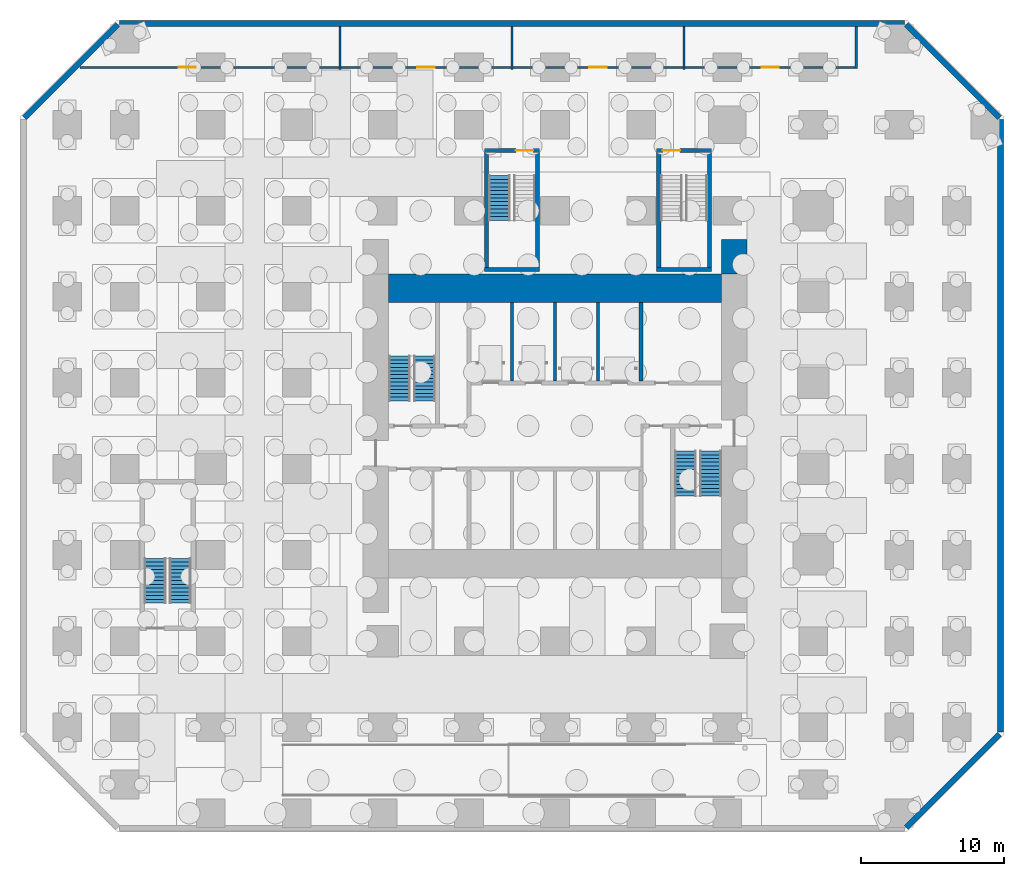
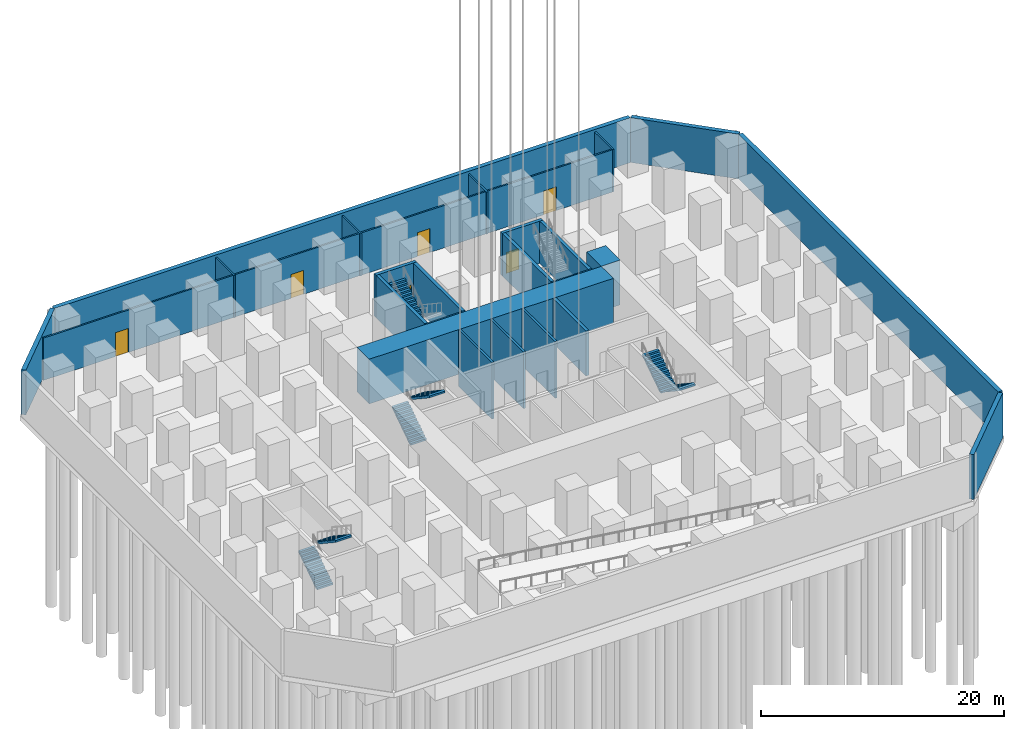
# One storey, part 4 of 11: 27 walls, 7 stair flights, 6 doors, 6 openings, 4 elements without a shape of their own.
"""IFC4 building model written with IfcOpenShell, lengths in metres."""

from ifc_helpers import new_model, si_unit, direction, frame, frame_2d, origin, place, context, subcontext, project, spatial, polyline, rectangle, outline, extrude, material, layer, layer_set, type_object, element, fill, aggregate, save


model = new_model("IFC4")

# Units and contexts
model_context = context("Model", 3, precision=1e-05, world=origin(), true_north=direction((0.0, 1.0)))
body_context = subcontext(model_context, "Body", "Model", "MODEL_VIEW")
ifc_project = project(units=[si_unit("LENGTHUNIT", "METRE"), si_unit("AREAUNIT", "SQUARE_METRE"), si_unit("VOLUMEUNIT", "CUBIC_METRE"), si_unit("PLANEANGLEUNIT", "RADIAN"), si_unit("MASSUNIT", "GRAM", prefix="KILO")], contexts=[model_context])

# Site, building, storey
site_placement = place(None, origin())
site = spatial("IfcSite", under=ifc_project, at=site_placement, CompositionType="ELEMENT")
building_placement = place(site_placement, origin())
building = spatial("IfcBuilding", under=site, at=building_placement, Name="Highveld Stack Headquarters", CompositionType="ELEMENT")
storey_placement = place(building_placement, frame((0.0, 0.0, -9.0)))
storey = spatial("IfcBuildingStorey", under=building, at=storey_placement, Name="B2", CompositionType="ELEMENT", Elevation=-9.0)

# Walls
ifc_material_1 = material(Name="Concrete C60/75", Category="concrete")
ifc_layer_1 = layer(ifc_material_1, 0.39990234375)
ifc_layer_set_1 = layer_set([ifc_layer_1], Name="Concrete C60/75")
wall_type_1 = type_object("IfcWallType", Name="BASEMENT RETAINING WALL 400", PredefinedType="USERDEFINED", material=ifc_layer_set_1)
wall_1_placement = place(storey_placement, frame((-30.989990234375, 24.494873046875, 0.0), z_axis=(0.0, 0.0, 1.0), x_axis=(0.707106781187, 0.707106781187, 0.0)))
element("IfcWall", 1, at=wall_1_placement, inside=storey, type_object=wall_type_1, Name="Basement retaining wall B2 3", ObjectType="RETAINING WALL", PredefinedType="USERDEFINED", context=body_context, shape_type="SweptSolid", body=[
    extrude(rectangle(XDim=9.185546875, YDim=0.39990234375, at=frame_2d((4.5927734375, 0.0))), origin(), (0.0, 0.0, 1.0), 4.5),
])
wall_2_placement = place(storey_placement, frame((-24.35009765625, 31.050048828125, 0.0), z_axis=(0.0, 0.0, 1.0), x_axis=(1.0, 0.0, 0.0)))
element("IfcWall", 2, at=wall_2_placement, inside=storey, type_object=wall_type_1, Name="Basement retaining wall B2 4", ObjectType="RETAINING WALL", PredefinedType="USERDEFINED", context=body_context, shape_type="SweptSolid", body=[
    extrude(rectangle(XDim=54.7001953125, YDim=0.39990234375, at=frame_2d((27.35009765625, 0.0))), origin(), (0.0, 0.0, 1.0), 4.5),
])
wall_3_placement = place(storey_placement, frame((30.494873046875, 30.989990234375, 0.0), z_axis=(0.0, 0.0, 1.0), x_axis=(0.707106781187, -0.707106781187, 0.0)))
element("IfcWall", 3, at=wall_3_placement, inside=storey, type_object=wall_type_1, Name="Basement retaining wall B2 5", ObjectType="RETAINING WALL", PredefinedType="USERDEFINED", context=body_context, shape_type="SweptSolid", body=[
    extrude(rectangle(XDim=9.185546875, YDim=0.39990234375, at=frame_2d((4.5927734375, 0.0))), origin(), (0.0, 0.0, 1.0), 4.5),
])
wall_4_placement = place(storey_placement, frame((37.050048828125, 24.35009765625, 0.0), z_axis=(0.0, 0.0, 1.0), x_axis=(0.0, -1.0, 0.0)))
element("IfcWall", 4, at=wall_4_placement, inside=storey, type_object=wall_type_1, Name="Basement retaining wall B2 6", ObjectType="RETAINING WALL", PredefinedType="USERDEFINED", context=body_context, shape_type="SweptSolid", body=[
    extrude(rectangle(XDim=42.7001953125, YDim=0.39990234375, at=frame_2d((21.35009765625, 0.0))), origin(), (0.0, 0.0, 1.0), 4.5),
])
wall_5_placement = place(storey_placement, frame((36.989990234375, -18.494873046875, 0.0), z_axis=(0.0, 0.0, 1.0), x_axis=(-0.707106781187, -0.707106781187, 0.0)))
element("IfcWall", 5, at=wall_5_placement, inside=storey, type_object=wall_type_1, Name="Basement retaining wall B2 7", ObjectType="RETAINING WALL", PredefinedType="USERDEFINED", context=body_context, shape_type="SweptSolid", body=[
    extrude(rectangle(XDim=9.185546875, YDim=0.39990234375, at=frame_2d((4.5927734375, 0.0))), origin(), (0.0, 0.0, 1.0), 4.5),
])
ifc_material_2 = material(Name="Concrete C60/75", Category="concrete")
ifc_layer_2 = layer(ifc_material_2, 2.0)
ifc_layer_set_2 = layer_set([ifc_layer_2], Name="Concrete C60/75")
wall_type_2 = type_object("IfcWallType", Name="CORE WALL 2000 C60/75", PredefinedType="SHEAR", material=ifc_layer_set_2)
wall_6_placement = place(storey_placement, frame((-5.60009765625, 12.60009765625, 0.0), z_axis=(0.0, 0.0, 1.0), x_axis=(1.0, 0.0, 0.0)))
element("IfcWall", 6, at=wall_6_placement, inside=storey, type_object=wall_type_2, Name="Core wall N B2", PredefinedType="SHEAR", context=body_context, shape_type="SweptSolid", body=[
    extrude(rectangle(XDim=23.2001953125, YDim=2.0, at=frame_2d((11.60009765625, 0.0))), origin(), (0.0, 0.0, 1.0), 4.5),
])
ifc_material_3 = material(Name="Concrete C60/75", Category="concrete")
ifc_layer_3 = layer(ifc_material_3, 0.300048828125)
ifc_layer_set_3 = layer_set([ifc_layer_3], Name="Concrete C60/75")
wall_type_3 = type_object("IfcWallType", Name="CORE WALL 300 C60/75", PredefinedType="SHEAR", material=ifc_layer_set_3)
wall_7_placement = place(storey_placement, frame((12.0, 6.14990234375, 0.0), z_axis=(0.0, 0.0, 1.0), x_axis=(0.0, 1.0, 0.0)))
element("IfcWall", 7, at=wall_7_placement, inside=storey, type_object=wall_type_3, Name="Core wall I-X12N B2", PredefinedType="SHEAR", context=body_context, shape_type="SweptSolid", body=[
    extrude(rectangle(XDim=5.4501953125, YDim=0.300048828125, at=frame_2d((2.72509765625, 0.0))), origin(), (0.0, 0.0, 1.0), 4.5),
])
ifc_material_4 = material(Name="Concrete C60/75", Category="concrete")
ifc_layer_4 = layer(ifc_material_4, 1.800048828125)
ifc_layer_set_4 = layer_set([ifc_layer_4], Name="Concrete C60/75")
wall_type_4 = type_object("IfcWallType", Name="CORE WING WALL 1800 C60/75", PredefinedType="SHEAR", material=ifc_layer_set_4)
wall_8_placement = place(storey_placement, frame((18.5, 13.60009765625, 0.0), z_axis=(0.0, 0.0, 1.0), x_axis=(0.0, 1.0, 0.0)))
element("IfcWall", 8, at=wall_8_placement, inside=storey, type_object=wall_type_4, Name="Core wing wall EN B2", PredefinedType="SHEAR", context=body_context, shape_type="SweptSolid", body=[
    extrude(rectangle(XDim=2.39990234375, YDim=1.800048828125, at=frame_2d((1.199951171875, 0.0))), origin(), (0.0, 0.0, 1.0), 4.5),
])

# Wall, opening, door
ifc_material_5 = material(Name="Concrete blockwork, plastered", Category="masonry")
ifc_layer_5 = layer(ifc_material_5, 0.14990234375)
ifc_layer_set_5 = layer_set([ifc_layer_5], Name="Concrete blockwork, plastered")
wall_type_5 = type_object("IfcWallType", Name="FIRE PARTITION 150 BLOCKWORK", PredefinedType="PARTITIONING", material=ifc_layer_set_5)
wall_9_placement = place(storey_placement, frame((-27.125, 28.0, 0.0), z_axis=(0.0, 0.0, 1.0), x_axis=(1.0, 0.0, 0.0)))
wall_9 = element("IfcWall", 9, at=wall_9_placement, inside=storey, type_object=wall_type_5, Name="Partition Generator room B2", PredefinedType="PARTITIONING", context=body_context, shape_type="SweptSolid", body=[
    extrude(rectangle(XDim=18.050048828125, YDim=0.14990234375, at=frame_2d((9.02490234375, 0.0))), origin(), (0.0, 0.0, 1.0), 4.25),
])
opening_1_placement = place(wall_9_placement, frame((6.875, 0.0, 0.0)))
opening_1 = element("IfcOpeningElement", 10, at=opening_1_placement, cuts=wall_9, Name="Opening B2-13", PredefinedType="OPENING", context=body_context, shape_type="SweptSolid", body=[
    extrude(rectangle(XDim=1.199951171875, YDim=2.39990234375, at=frame_2d((0.60009765625, 1.199951171875))), frame((0.0, 0.0849609375, 0.0), z_axis=(0.0, -1.0, 0.0), x_axis=(1.0, 0.0, 0.0)), (0.0, 0.0, 1.0), 0.169921875),
])
ifc_material_6 = material(Name="Steel fire door", Category="steel")
door_type_1 = type_object("IfcDoorType", Name="PLANT FIRE DOOR D7 1200x2400", OperationType="SINGLE_SWING_LEFT", PredefinedType="DOOR", material=ifc_material_6)
door_1_placement = place(opening_1_placement, origin())
door_1 = element("IfcDoor", 11, at=door_1_placement, inside=storey, type_object=door_type_1, Name="Generator room door 1 B2", OperationType="SINGLE_SWING_LEFT", OverallHeight=2.39990234375, OverallWidth=1.199951171875, PredefinedType="DOOR", context=body_context, shape_type="SweptSolid", body=[
    extrude(rectangle(XDim=1.199951171875, YDim=2.39990234375, at=frame_2d((0.60009765625, 1.199951171875))), frame((0.0, 0.02490234375, 0.0), z_axis=(0.0, -1.0, 0.0), x_axis=(1.0, 0.0, 0.0)), (0.0, 0.0, 1.0), 0.050048828125),
])
fill(opening_1, door_1)

# Wall
wall_10_placement = place(storey_placement, frame((-9.0, 27.85009765625, 0.0), z_axis=(0.0, 0.0, 1.0), x_axis=(0.0, 1.0, 0.0)))
element("IfcWall", 12, at=wall_10_placement, inside=storey, type_object=wall_type_5, Name="Partition Generator room B2", PredefinedType="PARTITIONING", context=body_context, shape_type="SweptSolid", body=[
    extrude(rectangle(XDim=3.0, YDim=0.14990234375, at=frame_2d((1.5, 0.0))), origin(), (0.0, 0.0, 1.0), 4.25),
])

# Wall, opening, door
wall_11_placement = place(storey_placement, frame((-8.925048828125, 28.0, 0.0), z_axis=(0.0, 0.0, 1.0), x_axis=(1.0, 0.0, 0.0)))
wall_11 = element("IfcWall", 13, at=wall_11_placement, inside=storey, type_object=wall_type_5, Name="Partition Electrical substation B2", PredefinedType="PARTITIONING", context=body_context, shape_type="SweptSolid", body=[
    extrude(rectangle(XDim=11.85009765625, YDim=0.14990234375, at=frame_2d((5.925048828125, 0.0))), origin(), (0.0, 0.0, 1.0), 4.25),
])
opening_2_placement = place(wall_11_placement, frame((5.324951171875, 0.0, 0.0)))
opening_2 = element("IfcOpeningElement", 14, at=opening_2_placement, cuts=wall_11, Name="Opening B2-14", PredefinedType="OPENING", context=body_context, shape_type="SweptSolid", body=[
    extrude(rectangle(XDim=1.199951171875, YDim=2.39990234375, at=frame_2d((0.60009765625, 1.199951171875))), frame((0.0, 0.0849609375, 0.0), z_axis=(0.0, -1.0, 0.0), x_axis=(1.0, 0.0, 0.0)), (0.0, 0.0, 1.0), 0.169921875),
])
door_2_placement = place(opening_2_placement, origin())
door_2 = element("IfcDoor", 15, at=door_2_placement, inside=storey, type_object=door_type_1, Name="Electrical substation door 1 B2", OperationType="SINGLE_SWING_LEFT", OverallHeight=2.39990234375, OverallWidth=1.199951171875, PredefinedType="DOOR", context=body_context, shape_type="SweptSolid", body=[
    extrude(rectangle(XDim=1.199951171875, YDim=2.39990234375, at=frame_2d((0.60009765625, 1.199951171875))), frame((0.0, 0.02490234375, 0.0), z_axis=(0.0, -1.0, 0.0), x_axis=(1.0, 0.0, 0.0)), (0.0, 0.0, 1.0), 0.050048828125),
])
fill(opening_2, door_2)

# Wall
wall_12_placement = place(storey_placement, frame((3.0, 27.85009765625, 0.0), z_axis=(0.0, 0.0, 1.0), x_axis=(0.0, 1.0, 0.0)))
element("IfcWall", 16, at=wall_12_placement, inside=storey, type_object=wall_type_5, Name="Partition Electrical substation B2", PredefinedType="PARTITIONING", context=body_context, shape_type="SweptSolid", body=[
    extrude(rectangle(XDim=3.0, YDim=0.14990234375, at=frame_2d((1.5, 0.0))), origin(), (0.0, 0.0, 1.0), 4.25),
])

# Wall, opening, door
wall_13_placement = place(storey_placement, frame((3.074951171875, 28.0, 0.0), z_axis=(0.0, 0.0, 1.0), x_axis=(1.0, 0.0, 0.0)))
wall_13 = element("IfcWall", 17, at=wall_13_placement, inside=storey, type_object=wall_type_5, Name="Partition Sprinkler pump room B2", PredefinedType="PARTITIONING", context=body_context, shape_type="SweptSolid", body=[
    extrude(rectangle(XDim=11.85009765625, YDim=0.14990234375, at=frame_2d((5.925048828125, 0.0))), origin(), (0.0, 0.0, 1.0), 4.25),
])
opening_3_placement = place(wall_13_placement, frame((5.324951171875, 0.0, 0.0)))
opening_3 = element("IfcOpeningElement", 18, at=opening_3_placement, cuts=wall_13, Name="Opening B2-15", PredefinedType="OPENING", context=body_context, shape_type="SweptSolid", body=[
    extrude(rectangle(XDim=1.199951171875, YDim=2.39990234375, at=frame_2d((0.60009765625, 1.199951171875))), frame((0.0, 0.0849609375, 0.0), z_axis=(0.0, -1.0, 0.0), x_axis=(1.0, 0.0, 0.0)), (0.0, 0.0, 1.0), 0.169921875),
])
door_3_placement = place(opening_3_placement, origin())
door_3 = element("IfcDoor", 19, at=door_3_placement, inside=storey, type_object=door_type_1, Name="Sprinkler pump room door 1 B2", OperationType="SINGLE_SWING_LEFT", OverallHeight=2.39990234375, OverallWidth=1.199951171875, PredefinedType="DOOR", context=body_context, shape_type="SweptSolid", body=[
    extrude(rectangle(XDim=1.199951171875, YDim=2.39990234375, at=frame_2d((0.60009765625, 1.199951171875))), frame((0.0, 0.02490234375, 0.0), z_axis=(0.0, -1.0, 0.0), x_axis=(1.0, 0.0, 0.0)), (0.0, 0.0, 1.0), 0.050048828125),
])
fill(opening_3, door_3)

# Wall
wall_14_placement = place(storey_placement, frame((15.0, 27.85009765625, 0.0), z_axis=(0.0, 0.0, 1.0), x_axis=(0.0, 1.0, 0.0)))
element("IfcWall", 20, at=wall_14_placement, inside=storey, type_object=wall_type_5, Name="Partition Sprinkler pump room B2", PredefinedType="PARTITIONING", context=body_context, shape_type="SweptSolid", body=[
    extrude(rectangle(XDim=3.0, YDim=0.14990234375, at=frame_2d((1.5, 0.0))), origin(), (0.0, 0.0, 1.0), 4.25),
])

# Wall, opening, door
wall_15_placement = place(storey_placement, frame((15.074951171875, 28.0, 0.0), z_axis=(0.0, 0.0, 1.0), x_axis=(1.0, 0.0, 0.0)))
wall_15 = element("IfcWall", 21, at=wall_15_placement, inside=storey, type_object=wall_type_5, Name="Partition Water storage tank room B2", PredefinedType="PARTITIONING", context=body_context, shape_type="SweptSolid", body=[
    extrude(rectangle(XDim=11.85009765625, YDim=0.14990234375, at=frame_2d((5.925048828125, 0.0))), origin(), (0.0, 0.0, 1.0), 4.25),
])
opening_4_placement = place(wall_15_placement, frame((5.324951171875, 0.0, 0.0)))
opening_4 = element("IfcOpeningElement", 22, at=opening_4_placement, cuts=wall_15, Name="Opening B2-16", PredefinedType="OPENING", context=body_context, shape_type="SweptSolid", body=[
    extrude(rectangle(XDim=1.199951171875, YDim=2.39990234375, at=frame_2d((0.60009765625, 1.199951171875))), frame((0.0, 0.0849609375, 0.0), z_axis=(0.0, -1.0, 0.0), x_axis=(1.0, 0.0, 0.0)), (0.0, 0.0, 1.0), 0.169921875),
])
door_4_placement = place(opening_4_placement, origin())
door_4 = element("IfcDoor", 23, at=door_4_placement, inside=storey, type_object=door_type_1, Name="Water storage tank room door 1 B2", OperationType="SINGLE_SWING_LEFT", OverallHeight=2.39990234375, OverallWidth=1.199951171875, PredefinedType="DOOR", context=body_context, shape_type="SweptSolid", body=[
    extrude(rectangle(XDim=1.199951171875, YDim=2.39990234375, at=frame_2d((0.60009765625, 1.199951171875))), frame((0.0, 0.02490234375, 0.0), z_axis=(0.0, -1.0, 0.0), x_axis=(1.0, 0.0, 0.0)), (0.0, 0.0, 1.0), 0.050048828125),
])
fill(opening_4, door_4)

# Walls
wall_16_placement = place(storey_placement, frame((27.0, 27.925048828125, 0.0), z_axis=(0.0, 0.0, 1.0), x_axis=(0.0, 1.0, 0.0)))
element("IfcWall", 24, at=wall_16_placement, inside=storey, type_object=wall_type_5, Name="Partition Water storage tank room B2", PredefinedType="PARTITIONING", context=body_context, shape_type="SweptSolid", body=[
    extrude(rectangle(XDim=2.925048828125, YDim=0.14990234375, at=frame_2d((1.46240234375, 0.0))), origin(), (0.0, 0.0, 1.0), 4.25),
])
ifc_material_7 = material(Name="Concrete blockwork, fair-faced", Category="masonry")
ifc_layer_6 = layer(ifc_material_7, 0.199951171875)
ifc_layer_set_6 = layer_set([ifc_layer_6], Name="Concrete blockwork, fair-faced")
wall_type_6 = type_object("IfcWallType", Name="LIFT SHAFT ENCLOSURE WALL 200 BLOCKWORK", PredefinedType="SOLIDWALL", material=ifc_layer_set_6)
for number, where, z_axis, x_axis, name in (
    (25, (3.0, 6.14990234375, -1.199951171875), (0.0, 0.0, 1.0), (0.0, 1.0, 0.0), "Lift shaft wall B2"),
    (26, (6.0, 6.14990234375, -1.199951171875), (0.0, 0.0, 1.0), (0.0, 1.0, 0.0), "Lift shaft wall B2"),
    (27, (9.0, 6.14990234375, -1.199951171875), (0.0, 0.0, 1.0), (0.0, 1.0, 0.0), "Lift shaft wall B2"),
):
    element("IfcWall", number, at=place(storey_placement, frame(where, z_axis=z_axis, x_axis=x_axis)), inside=storey, type_object=wall_type_6, Name=name, PredefinedType="SOLIDWALL", context=body_context, shape_type="SweptSolid", body=[
        extrude(rectangle(XDim=5.4501953125, YDim=0.199951171875, at=frame_2d((2.72509765625, 0.0))), origin(), (0.0, 0.0, 1.0), 5.699951171875),
    ])
ifc_material_8 = material(Name="Concrete C40/50", Category="concrete")
ifc_layer_7 = layer(ifc_material_8, 0.300048828125)
ifc_layer_set_7 = layer_set([ifc_layer_7], Name="Concrete C40/50")
wall_type_7 = type_object("IfcWallType", Name="STAIR ENCLOSURE WALL 300", PredefinedType="SOLIDWALL", material=ifc_layer_set_7)
wall_17_placement = place(storey_placement, frame((13.074951171875, 13.89990234375, 0.0), z_axis=(0.0, 0.0, 1.0), x_axis=(1.0, 0.0, 0.0)))
element("IfcWall", 28, at=wall_17_placement, inside=storey, type_object=wall_type_7, Name="Stair PS2 enclosure S B2", PredefinedType="SOLIDWALL", context=body_context, shape_type="SweptSolid", body=[
    extrude(rectangle(XDim=3.85009765625, YDim=0.300048828125, at=frame_2d((1.925048828125, 0.0))), origin(), (0.0, 0.0, 1.0), 4.25),
])

# Wall, opening, door
wall_18_placement = place(storey_placement, frame((13.074951171875, 22.199951171875, 0.0), z_axis=(0.0, 0.0, 1.0), x_axis=(1.0, 0.0, 0.0)))
wall_18 = element("IfcWall", 29, at=wall_18_placement, inside=storey, type_object=wall_type_7, Name="Stair PS2 enclosure N B2", PredefinedType="SOLIDWALL", context=body_context, shape_type="SweptSolid", body=[
    extrude(rectangle(XDim=3.85009765625, YDim=0.300048828125, at=frame_2d((1.925048828125, 0.0))), origin(), (0.0, 0.0, 1.0), 4.25),
])
opening_5_placement = place(wall_18_placement, frame((0.449951171875, 0.0, 0.0)))
opening_5 = element("IfcOpeningElement", 30, at=opening_5_placement, cuts=wall_18, Name="Opening B2-11", PredefinedType="OPENING", context=body_context, shape_type="SweptSolid", body=[
    extrude(rectangle(XDim=1.199951171875, YDim=2.10009765625, at=frame_2d((0.60009765625, 1.050048828125))), frame((0.0, 0.159912109375, 0.0), z_axis=(0.0, -1.0, 0.0), x_axis=(1.0, 0.0, 0.0)), (0.0, 0.0, 1.0), 0.320068359375),
])
ifc_material_9 = material(Name="Steel fire door", Category="steel")
door_type_2 = type_object("IfcDoorType", Name="STAIR FIRE DOOR D3 1200x2100", OperationType="SINGLE_SWING_LEFT", PredefinedType="DOOR", material=ifc_material_9)
door_5_placement = place(opening_5_placement, origin())
door_5 = element("IfcDoor", 31, at=door_5_placement, inside=storey, type_object=door_type_2, Name="Stair PS2 door B2", OperationType="SINGLE_SWING_LEFT", OverallHeight=2.10009765625, OverallWidth=1.199951171875, PredefinedType="DOOR", context=body_context, shape_type="SweptSolid", body=[
    extrude(rectangle(XDim=1.199951171875, YDim=2.10009765625, at=frame_2d((0.60009765625, 1.050048828125))), frame((0.0, 0.02490234375, 0.0), z_axis=(0.0, -1.0, 0.0), x_axis=(1.0, 0.0, 0.0)), (0.0, 0.0, 1.0), 0.050048828125),
])
fill(opening_5, door_5)

# Walls
for number, where, z_axis, x_axis, name in (
    (32, (13.22509765625, 14.050048828125, 0.0), (0.0, 0.0, 1.0), (0.0, 1.0, 0.0), "Stair PS2 enclosure W B2"),
    (33, (16.77490234375, 14.050048828125, 0.0), (0.0, 0.0, 1.0), (0.0, 1.0, 0.0), "Stair PS2 enclosure E B2"),
):
    element("IfcWall", number, at=place(storey_placement, frame(where, z_axis=z_axis, x_axis=x_axis)), inside=storey, type_object=wall_type_7, Name=name, PredefinedType="SOLIDWALL", context=body_context, shape_type="SweptSolid", body=[
        extrude(rectangle(XDim=8.0, YDim=0.300048828125, at=frame_2d((4.0, 0.0))), origin(), (0.0, 0.0, 1.0), 4.25),
    ])
wall_19_placement = place(storey_placement, frame((1.074951171875, 13.89990234375, 0.0), z_axis=(0.0, 0.0, 1.0), x_axis=(1.0, 0.0, 0.0)))
element("IfcWall", 34, at=wall_19_placement, inside=storey, type_object=wall_type_7, Name="Stair PS3 enclosure S B2", PredefinedType="SOLIDWALL", context=body_context, shape_type="SweptSolid", body=[
    extrude(rectangle(XDim=3.85009765625, YDim=0.300048828125, at=frame_2d((1.925048828125, 0.0))), origin(), (0.0, 0.0, 1.0), 4.25),
])

# Wall, opening, door
wall_20_placement = place(storey_placement, frame((1.074951171875, 22.199951171875, 0.0), z_axis=(0.0, 0.0, 1.0), x_axis=(1.0, 0.0, 0.0)))
wall_20 = element("IfcWall", 35, at=wall_20_placement, inside=storey, type_object=wall_type_7, Name="Stair PS3 enclosure N B2", PredefinedType="SOLIDWALL", context=body_context, shape_type="SweptSolid", body=[
    extrude(rectangle(XDim=3.85009765625, YDim=0.300048828125, at=frame_2d((1.925048828125, 0.0))), origin(), (0.0, 0.0, 1.0), 4.25),
])
opening_6_placement = place(wall_20_placement, frame((2.199951171875, 0.0, 0.0)))
opening_6 = element("IfcOpeningElement", 36, at=opening_6_placement, cuts=wall_20, Name="Opening B2-12", PredefinedType="OPENING", context=body_context, shape_type="SweptSolid", body=[
    extrude(rectangle(XDim=1.199951171875, YDim=2.10009765625, at=frame_2d((0.60009765625, 1.050048828125))), frame((0.0, 0.159912109375, 0.0), z_axis=(0.0, -1.0, 0.0), x_axis=(1.0, 0.0, 0.0)), (0.0, 0.0, 1.0), 0.320068359375),
])
door_6_placement = place(opening_6_placement, origin())
door_6 = element("IfcDoor", 37, at=door_6_placement, inside=storey, type_object=door_type_2, Name="Stair PS3 door B2", OperationType="SINGLE_SWING_RIGHT", OverallHeight=2.10009765625, OverallWidth=1.199951171875, PredefinedType="DOOR", context=body_context, shape_type="SweptSolid", body=[
    extrude(rectangle(XDim=1.199951171875, YDim=2.10009765625, at=frame_2d((0.60009765625, 1.050048828125))), frame((0.0, 0.02490234375, 0.0), z_axis=(0.0, -1.0, 0.0), x_axis=(1.0, 0.0, 0.0)), (0.0, 0.0, 1.0), 0.050048828125),
])
fill(opening_6, door_6)

# Walls
for number, where, z_axis, x_axis, name in (
    (38, (1.22509765625, 14.050048828125, 0.0), (0.0, 0.0, 1.0), (0.0, 1.0, 0.0), "Stair PS3 enclosure W B2"),
    (39, (4.77490234375, 14.050048828125, 0.0), (0.0, 0.0, 1.0), (0.0, 1.0, 0.0), "Stair PS3 enclosure E B2"),
):
    element("IfcWall", number, at=place(storey_placement, frame(where, z_axis=z_axis, x_axis=x_axis)), inside=storey, type_object=wall_type_7, Name=name, PredefinedType="SOLIDWALL", context=body_context, shape_type="SweptSolid", body=[
        extrude(rectangle(XDim=8.0, YDim=0.300048828125, at=frame_2d((4.0, 0.0))), origin(), (0.0, 0.0, 1.0), 4.25),
    ])

# Stair, stair flights
ifc_material_10 = material(Name="Concrete C40/50, precast", Category="concrete")
stair_type_1 = type_object("IfcStairType", Name="STAIR S1 HALF TURN 1500", PredefinedType="HALF_TURN_STAIR", material=ifc_material_10)
stair_1_placement = place(storey_placement, origin())
stair_1 = element("IfcStair", 40, at=stair_1_placement, inside=storey, type_object=stair_type_1, Name="Stair S1 B2", PredefinedType="HALF_TURN_STAIR")
ifc_material_11 = material(Name="Concrete C40/50, precast", Category="concrete")
stair_flight_type = type_object("IfcStairFlightType", Name="STAIR FLIGHT 1500 PRECAST", PredefinedType="STRAIGHT", material=ifc_material_11)
stair_flight_1_placement = place(storey_placement, frame((-4.85009765625, 4.75, 0.0), z_axis=(0.0, 0.0, 1.0), x_axis=(0.0, 1.0, 0.0)))
stair_flight_1 = element("IfcStairFlight", 41, at=stair_flight_1_placement, type_object=stair_flight_type, Name="S1 flight 1", NumberOfRisers=13, NumberOfTreads=12, PredefinedType="STRAIGHT", RiserHeight=0.173076923, TreadLength=0.26, context=body_context, shape_type="SweptSolid", body=[
    extrude(outline(polyline([(0.0, 0.0), (0.0, 0.173095703125), (0.260009765625, 0.173095703125), (0.260009765625, 0.34619140625), (0.52001953125, 0.34619140625), (0.52001953125, 0.519287109375), (0.780029296875, 0.519287109375), (0.780029296875, 0.6923828125), (1.0400390625, 0.6923828125), (1.0400390625, 0.865478515625), (1.300048828125, 0.865478515625), (1.300048828125, 1.03857421875), (1.56005859375, 1.03857421875), (1.56005859375, 1.21142578125), (1.820068359375, 1.21142578125), (1.820068359375, 1.384521484375), (2.080078125, 1.384521484375), (2.080078125, 1.5576171875), (2.340087890625, 1.5576171875), (2.340087890625, 1.730712890625), (2.60009765625, 1.730712890625), (2.60009765625, 1.90380859375), (2.860107421875, 1.90380859375), (2.860107421875, 2.076904296875), (3.1201171875, 2.076904296875), (3.1201171875, 2.25), (3.1201171875, 1.896728515625), (0.2705078125, 0.0), (0.0, 0.0)])), frame((0.0, 0.75, 0.0), z_axis=(0.0, -1.0, 0.0), x_axis=(1.0, 0.0, 0.0)), (0.0, 0.0, 1.0), 1.5),
])
stair_flight_2_placement = place(storey_placement, frame((-3.10009765625, 7.8701171875, 2.25), z_axis=(0.0, 0.0, 1.0), x_axis=(0.0, -1.0, 0.0)))
stair_flight_2 = element("IfcStairFlight", 42, at=stair_flight_2_placement, type_object=stair_flight_type, Name="S1 flight 2", NumberOfRisers=13, NumberOfTreads=12, PredefinedType="STRAIGHT", RiserHeight=0.173076923, TreadLength=0.26, context=body_context, shape_type="SweptSolid", body=[
    extrude(outline(polyline([(0.0, 0.0), (0.0, 0.173095703125), (0.260009765625, 0.173095703125), (0.260009765625, 0.34619140625), (0.52001953125, 0.34619140625), (0.52001953125, 0.519287109375), (0.780029296875, 0.519287109375), (0.780029296875, 0.6923828125), (1.0400390625, 0.6923828125), (1.0400390625, 0.865478515625), (1.300048828125, 0.865478515625), (1.300048828125, 1.03857421875), (1.56005859375, 1.03857421875), (1.56005859375, 1.21142578125), (1.820068359375, 1.21142578125), (1.820068359375, 1.384521484375), (2.080078125, 1.384521484375), (2.080078125, 1.5576171875), (2.340087890625, 1.5576171875), (2.340087890625, 1.730712890625), (2.60009765625, 1.730712890625), (2.60009765625, 1.90380859375), (2.860107421875, 1.90380859375), (2.860107421875, 2.076904296875), (3.1201171875, 2.076904296875), (3.1201171875, 2.25), (3.1201171875, 1.896728515625), (0.2705078125, 0.0), (0.0, 0.0)])), frame((0.0, 0.75, 0.0), z_axis=(0.0, -1.0, 0.0), x_axis=(1.0, 0.0, 0.0)), (0.0, 0.0, 1.0), 1.5),
])
aggregate(stair_1, [stair_flight_1, stair_flight_2])

ifc_material_12 = material(Name="Concrete C40/50, precast", Category="concrete")
stair_type_2 = type_object("IfcStairType", Name="STAIR S2 HALF TURN 1500", PredefinedType="HALF_TURN_STAIR", material=ifc_material_12)
stair_2_placement = place(storey_placement, origin())
stair_2 = element("IfcStair", 43, at=stair_2_placement, inside=storey, type_object=stair_type_2, Name="Stair S2 B2", PredefinedType="HALF_TURN_STAIR")
stair_flight_3_placement = place(storey_placement, frame((16.85009765625, 1.25, 0.0), z_axis=(0.0, 0.0, 1.0), x_axis=(0.0, -1.0, 0.0)))
stair_flight_3 = element("IfcStairFlight", 44, at=stair_flight_3_placement, type_object=stair_flight_type, Name="S2 flight 1", NumberOfRisers=13, NumberOfTreads=12, PredefinedType="STRAIGHT", RiserHeight=0.173076923, TreadLength=0.26, context=body_context, shape_type="SweptSolid", body=[
    extrude(outline(polyline([(0.0, 0.0), (0.0, 0.173095703125), (0.260009765625, 0.173095703125), (0.260009765625, 0.34619140625), (0.52001953125, 0.34619140625), (0.52001953125, 0.519287109375), (0.780029296875, 0.519287109375), (0.780029296875, 0.6923828125), (1.0400390625, 0.6923828125), (1.0400390625, 0.865478515625), (1.300048828125, 0.865478515625), (1.300048828125, 1.03857421875), (1.56005859375, 1.03857421875), (1.56005859375, 1.21142578125), (1.820068359375, 1.21142578125), (1.820068359375, 1.384521484375), (2.080078125, 1.384521484375), (2.080078125, 1.5576171875), (2.340087890625, 1.5576171875), (2.340087890625, 1.730712890625), (2.60009765625, 1.730712890625), (2.60009765625, 1.90380859375), (2.860107421875, 1.90380859375), (2.860107421875, 2.076904296875), (3.1201171875, 2.076904296875), (3.1201171875, 2.25), (3.1201171875, 1.896728515625), (0.2705078125, 0.0), (0.0, 0.0)])), frame((0.0, 0.75, 0.0), z_axis=(0.0, -1.0, 0.0), x_axis=(1.0, 0.0, 0.0)), (0.0, 0.0, 1.0), 1.5),
])
stair_flight_4_placement = place(storey_placement, frame((15.10009765625, -1.8701171875, 2.25), z_axis=(0.0, 0.0, 1.0), x_axis=(0.0, 1.0, 0.0)))
stair_flight_4 = element("IfcStairFlight", 45, at=stair_flight_4_placement, type_object=stair_flight_type, Name="S2 flight 2", NumberOfRisers=13, NumberOfTreads=12, PredefinedType="STRAIGHT", RiserHeight=0.173076923, TreadLength=0.26, context=body_context, shape_type="SweptSolid", body=[
    extrude(outline(polyline([(0.0, 0.0), (0.0, 0.173095703125), (0.260009765625, 0.173095703125), (0.260009765625, 0.34619140625), (0.52001953125, 0.34619140625), (0.52001953125, 0.519287109375), (0.780029296875, 0.519287109375), (0.780029296875, 0.6923828125), (1.0400390625, 0.6923828125), (1.0400390625, 0.865478515625), (1.300048828125, 0.865478515625), (1.300048828125, 1.03857421875), (1.56005859375, 1.03857421875), (1.56005859375, 1.21142578125), (1.820068359375, 1.21142578125), (1.820068359375, 1.384521484375), (2.080078125, 1.384521484375), (2.080078125, 1.5576171875), (2.340087890625, 1.5576171875), (2.340087890625, 1.730712890625), (2.60009765625, 1.730712890625), (2.60009765625, 1.90380859375), (2.860107421875, 1.90380859375), (2.860107421875, 2.076904296875), (3.1201171875, 2.076904296875), (3.1201171875, 2.25), (3.1201171875, 1.896728515625), (0.2705078125, 0.0), (0.0, 0.0)])), frame((0.0, 0.75, 0.0), z_axis=(0.0, -1.0, 0.0), x_axis=(1.0, 0.0, 0.0)), (0.0, 0.0, 1.0), 1.5),
])
aggregate(stair_2, [stair_flight_3, stair_flight_4])

ifc_material_13 = material(Name="Concrete C40/50, precast", Category="concrete")
stair_type_3 = type_object("IfcStairType", Name="STAIR PS1 HALF TURN 1500", PredefinedType="HALF_TURN_STAIR", material=ifc_material_13)
stair_3_placement = place(storey_placement, origin())
stair_3 = element("IfcStair", 46, at=stair_3_placement, inside=storey, type_object=stair_type_3, Name="Stair PS1 B2", PredefinedType="HALF_TURN_STAIR")
stair_flight_5_placement = place(storey_placement, frame((-21.875, -9.35009765625, 0.0), z_axis=(0.0, 0.0, 1.0), x_axis=(0.0, 1.0, 0.0)))
stair_flight_5 = element("IfcStairFlight", 47, at=stair_flight_5_placement, type_object=stair_flight_type, Name="PS1 flight 1", NumberOfRisers=13, NumberOfTreads=12, PredefinedType="STRAIGHT", RiserHeight=0.173076923, TreadLength=0.26, context=body_context, shape_type="SweptSolid", body=[
    extrude(outline(polyline([(0.0, 0.0), (0.0, 0.173095703125), (0.260009765625, 0.173095703125), (0.260009765625, 0.34619140625), (0.52001953125, 0.34619140625), (0.52001953125, 0.519287109375), (0.780029296875, 0.519287109375), (0.780029296875, 0.6923828125), (1.0400390625, 0.6923828125), (1.0400390625, 0.865478515625), (1.300048828125, 0.865478515625), (1.300048828125, 1.03857421875), (1.56005859375, 1.03857421875), (1.56005859375, 1.21142578125), (1.820068359375, 1.21142578125), (1.820068359375, 1.384521484375), (2.080078125, 1.384521484375), (2.080078125, 1.5576171875), (2.340087890625, 1.5576171875), (2.340087890625, 1.730712890625), (2.60009765625, 1.730712890625), (2.60009765625, 1.90380859375), (2.860107421875, 1.90380859375), (2.860107421875, 2.076904296875), (3.1201171875, 2.076904296875), (3.1201171875, 2.25), (3.1201171875, 1.896728515625), (0.2705078125, 0.0), (0.0, 0.0)])), frame((0.0, 0.75, 0.0), z_axis=(0.0, -1.0, 0.0), x_axis=(1.0, 0.0, 0.0)), (0.0, 0.0, 1.0), 1.5),
])
stair_flight_6_placement = place(storey_placement, frame((-20.125, -6.22998046875, 2.25), z_axis=(0.0, 0.0, 1.0), x_axis=(0.0, -1.0, 0.0)))
stair_flight_6 = element("IfcStairFlight", 48, at=stair_flight_6_placement, type_object=stair_flight_type, Name="PS1 flight 2", NumberOfRisers=13, NumberOfTreads=12, PredefinedType="STRAIGHT", RiserHeight=0.173076923, TreadLength=0.26, context=body_context, shape_type="SweptSolid", body=[
    extrude(outline(polyline([(0.0, 0.0), (0.0, 0.173095703125), (0.260009765625, 0.173095703125), (0.260009765625, 0.34619140625), (0.52001953125, 0.34619140625), (0.52001953125, 0.519287109375), (0.780029296875, 0.519287109375), (0.780029296875, 0.6923828125), (1.0400390625, 0.6923828125), (1.0400390625, 0.865478515625), (1.300048828125, 0.865478515625), (1.300048828125, 1.03857421875), (1.56005859375, 1.03857421875), (1.56005859375, 1.21142578125), (1.820068359375, 1.21142578125), (1.820068359375, 1.384521484375), (2.080078125, 1.384521484375), (2.080078125, 1.5576171875), (2.340087890625, 1.5576171875), (2.340087890625, 1.730712890625), (2.60009765625, 1.730712890625), (2.60009765625, 1.90380859375), (2.860107421875, 1.90380859375), (2.860107421875, 2.076904296875), (3.1201171875, 2.076904296875), (3.1201171875, 2.25), (3.1201171875, 1.896728515625), (0.2705078125, 0.0), (0.0, 0.0)])), frame((0.0, 0.75, 0.0), z_axis=(0.0, -1.0, 0.0), x_axis=(1.0, 0.0, 0.0)), (0.0, 0.0, 1.0), 1.5),
])
aggregate(stair_3, [stair_flight_5, stair_flight_6])

# Stair, stair flight
ifc_material_14 = material(Name="Concrete C40/50, precast", Category="concrete")
stair_type_4 = type_object("IfcStairType", Name="STAIR PS3 HALF TURN 1500", PredefinedType="HALF_TURN_STAIR", material=ifc_material_14)
stair_4_placement = place(storey_placement, origin())
stair_4 = element("IfcStair", 49, at=stair_4_placement, inside=storey, type_object=stair_type_4, Name="Stair PS3 B2", PredefinedType="HALF_TURN_STAIR")
stair_flight_7_placement = place(storey_placement, frame((2.125, 17.330078125, 2.25), z_axis=(0.0, 0.0, 1.0), x_axis=(0.0, 1.0, 0.0)))
stair_flight_7 = element("IfcStairFlight", 50, at=stair_flight_7_placement, type_object=stair_flight_type, Name="PS3 flight 2", NumberOfRisers=13, NumberOfTreads=12, PredefinedType="STRAIGHT", RiserHeight=0.173076923, TreadLength=0.26, context=body_context, shape_type="SweptSolid", body=[
    extrude(outline(polyline([(0.0, 0.0), (0.0, 0.173095703125), (0.260009765625, 0.173095703125), (0.260009765625, 0.34619140625), (0.52001953125, 0.34619140625), (0.52001953125, 0.519287109375), (0.780029296875, 0.519287109375), (0.780029296875, 0.6923828125), (1.0400390625, 0.6923828125), (1.0400390625, 0.865478515625), (1.300048828125, 0.865478515625), (1.300048828125, 1.03857421875), (1.56005859375, 1.03857421875), (1.56005859375, 1.21142578125), (1.820068359375, 1.21142578125), (1.820068359375, 1.384521484375), (2.080078125, 1.384521484375), (2.080078125, 1.5576171875), (2.340087890625, 1.5576171875), (2.340087890625, 1.730712890625), (2.60009765625, 1.730712890625), (2.60009765625, 1.90380859375), (2.860107421875, 1.90380859375), (2.860107421875, 2.076904296875), (3.1201171875, 2.076904296875), (3.1201171875, 2.25), (3.1201171875, 1.896728515625), (0.2705078125, 0.0), (0.0, 0.0)])), frame((0.0, 0.75, 0.0), z_axis=(0.0, -1.0, 0.0), x_axis=(1.0, 0.0, 0.0)), (0.0, 0.0, 1.0), 1.5),
])
aggregate(stair_4, [stair_flight_7])

save(model, "model.ifc")
